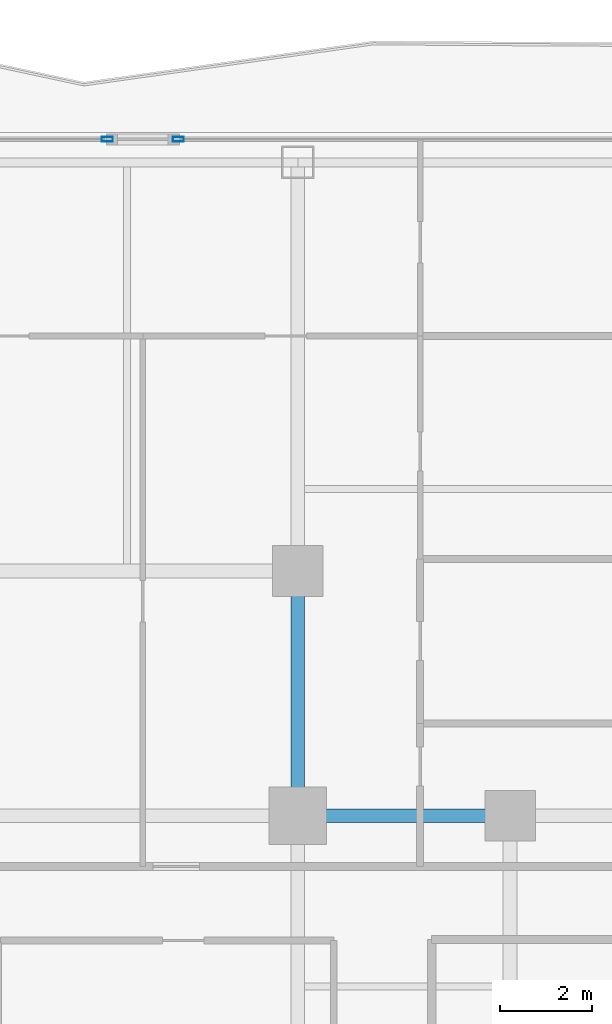
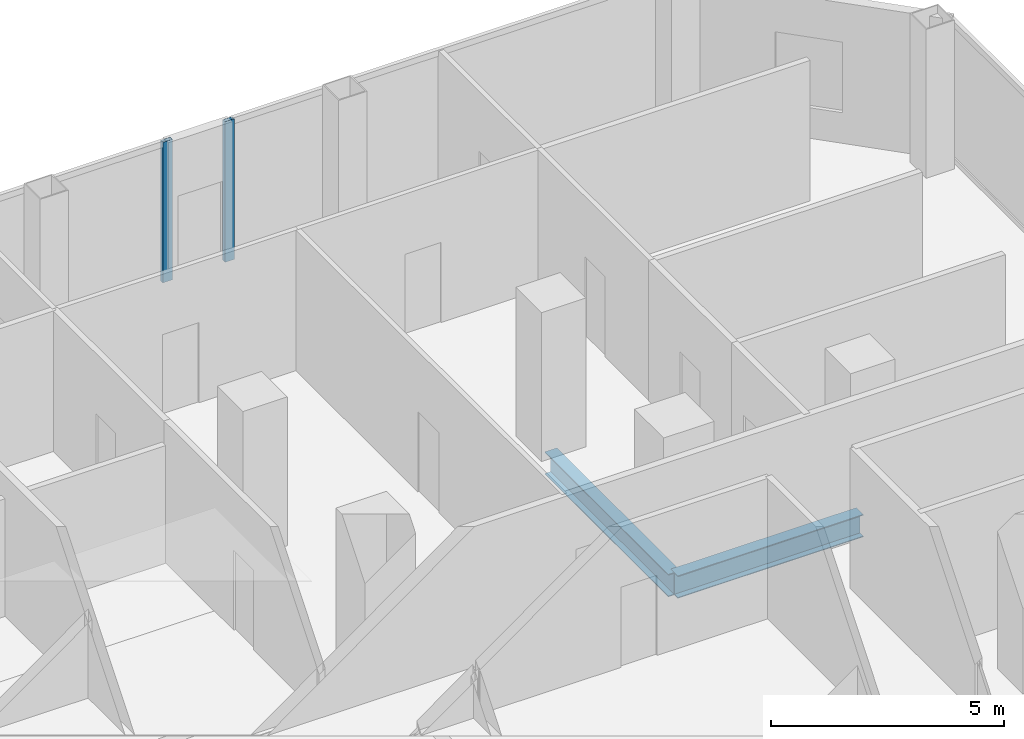
# One storey, part 16 of 27: 2 beams, 2 members, 2 elements without a shape of their own.
"""IFC4 building model written with IfcOpenShell, lengths in metres."""

import ifcopenshell
import ifcopenshell.guid

model = None  # the IFC model being written
_history = None  # IfcOwnerHistory: only IFC2X3 demands one
_inside = {}  # id of a spatial element -> (the spatial element, [elements in it])
_under = {}  # id of a project, library or spatial element -> (it, [spatial elements below it])
_declared = {}  # id of a project -> (the project, [libraries it declares])
_typed = {}  # id of a type object -> (the type object, [elements of that type])
_made_of = {}  # id of a material, layer set ... -> (it, [elements and type objects made of it])


def new_model(schema):
    """Start an empty IFC model of exactly this schema.

    Asked for "IFC4X3", IfcOpenShell would pick the latest addendum, in which some entities
    have other attributes; the version numbers below select the first issue.
    IFC2X3 requires an IfcOwnerHistory on every rooted entity: one is made here for all.
    """
    global model, _history
    if schema == "IFC4X3":
        model = ifcopenshell.file(schema_version=(4, 3, 0, 0))
    else:
        model = ifcopenshell.file(schema=schema)
    _inside.clear()
    _under.clear()
    _declared.clear()
    _typed.clear()
    _made_of.clear()
    _history = None
    if model.schema == "IFC2X3":
        org = make("IfcOrganization", Name="unknown")
        user = make(
            "IfcPersonAndOrganization",
            ThePerson=make("IfcPerson", FamilyName="unknown"),
            TheOrganization=org,
        )
        app = make(
            "IfcApplication",
            ApplicationDeveloper=org,
            Version="unknown",
            ApplicationFullName="unknown",
            ApplicationIdentifier="unknown",
        )
        _history = make(
            "IfcOwnerHistory",
            OwningUser=user,
            OwningApplication=app,
            ChangeAction="ADDED",
            CreationDate=0,
        )
    return model


def make(cls, **values):
    """One entity of the class cls with the attributes given. An attribute that is None is left unset."""
    return model.create_entity(
        cls, **{name: value for name, value in values.items() if value is not None}
    )


def rooted(cls, **values):
    """An entity with a GlobalId (a new one), such as an element, a storey or a relation."""
    return make(cls, GlobalId=ifcopenshell.guid.new(), OwnerHistory=_history, **values)


def si_unit(unit_type, name, prefix=None):
    """IfcSIUnit, for example si_unit("LENGTHUNIT", "METRE", prefix="MILLI")."""
    return make("IfcSIUnit", UnitType=unit_type, Prefix=prefix, Name=name)


def assignment(units):
    """IfcUnitAssignment: the units of a project."""
    return None if units is None else make("IfcUnitAssignment", Units=units)


def point(xyz):
    """IfcCartesianPoint."""
    return None if xyz is None else make("IfcCartesianPoint", Coordinates=xyz)


def direction(xyz):
    """IfcDirection."""
    return None if xyz is None else make("IfcDirection", DirectionRatios=xyz)


def frame(location, z_axis=None, x_axis=None):
    """IfcAxis2Placement3D, a coordinate frame: its origin and axes. An axis left out is left unset."""
    return make(
        "IfcAxis2Placement3D",
        Location=point(location),
        Axis=direction(z_axis),
        RefDirection=direction(x_axis),
    )


def frame_2d(location, x_axis=None):
    """IfcAxis2Placement2D, a coordinate frame in the plane: its origin and x axis."""
    return make(
        "IfcAxis2Placement2D", Location=point(location), RefDirection=direction(x_axis)
    )


def origin():
    """The frame at (0, 0, 0) with its axes left unset."""
    return frame((0.0, 0.0, 0.0))


def origin_2d():
    """The frame at (0, 0) in the plane with its x axis left unset."""
    return frame_2d((0.0, 0.0))


def place(relative_to, where):
    """IfcLocalPlacement: puts the frame where relative to a parent placement (None: the world)."""
    return make(
        "IfcLocalPlacement", PlacementRelTo=relative_to, RelativePlacement=where
    )


def context(
    kind, dimensions, precision=None, world=None, true_north=None, identifier=None
):
    """IfcGeometricRepresentationContext, for example the 3D "Model" context."""
    return make(
        "IfcGeometricRepresentationContext",
        ContextIdentifier=identifier,
        ContextType=kind,
        CoordinateSpaceDimension=dimensions,
        Precision=precision,
        WorldCoordinateSystem=world,
        TrueNorth=true_north,
    )


def subcontext(parent, identifier, kind, view, scale=None):
    """IfcGeometricRepresentationSubContext, for example "Body" below "Model"."""
    return make(
        "IfcGeometricRepresentationSubContext",
        ContextIdentifier=identifier,
        ContextType=kind,
        ParentContext=parent,
        TargetScale=scale,
        TargetView=view,
    )


def project(units=None, contexts=None):
    """IfcProject with its units and contexts."""
    return rooted(
        "IfcProject",
        Name="project",
        RepresentationContexts=contexts,
        UnitsInContext=assignment(units),
    )


def spatial(cls, under=None, at=None, **own):
    """A site, building, storey or space (cls), placed at a placement, below another one or the project."""
    s = rooted(cls, ObjectPlacement=at, **own)
    if under is not None:
        _under.setdefault(under.id(), (under, []))[1].append(s)
    return s


def profile(cls, at=None, kind="AREA", **sizes):
    """A parametric profile (cls). Its sizes go by their IFC names, for example OverallWidth=200.0."""
    return make(cls, ProfileType=kind, Position=at, **sizes)


def hollow_rectangle(**sizes):
    """IfcRectangleHollowProfileDef."""
    return profile("IfcRectangleHollowProfileDef", **sizes)


def i_section(**sizes):
    """IfcIShapeProfileDef."""
    return profile("IfcIShapeProfileDef", **sizes)


def extrude(swept, where, along, depth):
    """IfcExtrudedAreaSolid: the profile swept, set in the frame where, extruded along a direction by depth."""
    return make(
        "IfcExtrudedAreaSolid",
        SweptArea=swept,
        Position=where,
        ExtrudedDirection=direction(along),
        Depth=depth,
    )


def shape(context_of_items, identifier, shape_type, items):
    """IfcShapeRepresentation: the items that make up one representation, for example the "Body"."""
    return make(
        "IfcShapeRepresentation",
        ContextOfItems=context_of_items,
        RepresentationIdentifier=identifier,
        RepresentationType=shape_type,
        Items=items,
    )


def material(Name=None, Category=None):
    """IfcMaterial."""
    return make("IfcMaterial", Name=Name, Category=Category)


def layer(
    of_material, thickness, ventilated=None, Name=None, Category=None, Priority=None
):
    """IfcMaterialLayer: one layer of a wall or slab, of a material (None: an air gap)."""
    return make(
        "IfcMaterialLayer",
        Material=of_material,
        LayerThickness=thickness,
        IsVentilated=ventilated,
        Name=Name,
        Category=Category,
        Priority=Priority,
    )


def layer_set(layers, Name=None):
    """IfcMaterialLayerSet."""
    return make("IfcMaterialLayerSet", MaterialLayers=layers, LayerSetName=Name)


def material_profile(
    of_material, cross_section, Name=None, Category=None, Priority=None
):
    """IfcMaterialProfile: a cross section and its material."""
    return make(
        "IfcMaterialProfile",
        Name=Name,
        Material=of_material,
        Profile=cross_section,
        Priority=Priority,
        Category=Category,
    )


def profile_set(profiles, Name=None, composite=None):
    """IfcMaterialProfileSet."""
    return make(
        "IfcMaterialProfileSet",
        Name=Name,
        MaterialProfiles=profiles,
        CompositeProfile=composite,
    )


def made_of(thing, what):
    """Note that an element or type object is made of a material, layer set ...; save() writes the relation."""
    if what is not None:
        _made_of.setdefault(what.id(), (what, []))[1].append(thing)
    return thing


def type_object(cls, material=None, **own):
    """A type object (cls), such as IfcWallType, which elements share."""
    return made_of(rooted(cls, **own), material)


def element(
    cls,
    number,
    at=None,
    inside=None,
    cuts=None,
    type_object=None,
    material=None,
    context=None,
    identifier="Body",
    shape_type=None,
    held_by="IfcProductDefinitionShape",
    body=None,
    shapes=None,
    **own,
):
    """One element of the class cls, such as IfcWall. Its Tag is "e" and its number.

    at: its placement. inside: the storey or other place that contains it. cuts: it is an
    opening in that element (IfcRelVoidsElement). A single representation is given by context,
    identifier, shape_type and body (its items); several are given by shapes. held_by: the class
    of the entity that holds the representations. save() writes the other relations.
    """
    e = rooted(cls, Tag="e%d" % number, ObjectPlacement=at, **own)
    if body is not None:
        shapes = [shape(context, identifier, shape_type, body)]
    if shapes is not None:
        e.Representation = make(held_by, Representations=shapes)
    if inside is not None:
        _inside.setdefault(inside.id(), (inside, []))[1].append(e)
    if cuts is not None:
        rooted(
            "IfcRelVoidsElement", RelatingBuildingElement=cuts, RelatedOpeningElement=e
        )
    if type_object is not None:
        _typed.setdefault(type_object.id(), (type_object, []))[1].append(e)
    return made_of(e, material)


def aggregate(whole, parts):
    """IfcRelAggregates: a whole, such as a stair, and the parts it consists of."""
    return rooted("IfcRelAggregates", RelatingObject=whole, RelatedObjects=parts)


def save(model, path):
    """Write the relations noted so far, then the file.

    IfcRelAggregates (storeys below a building ...), IfcRelContainedInSpatialStructure (elements
    in a storey), IfcRelDefinesByType, IfcRelAssociatesMaterial and IfcRelDeclares: one each for
    every whole, place, type object, material and project.
    """
    for whole, parts in _under.values():
        aggregate(whole, parts)
    for where, things in _inside.values():
        rooted(
            "IfcRelContainedInSpatialStructure",
            RelatedElements=things,
            RelatingStructure=where,
        )
    for kind, things in _typed.values():
        rooted("IfcRelDefinesByType", RelatedObjects=things, RelatingType=kind)
    for what, things in _made_of.values():
        rooted("IfcRelAssociatesMaterial", RelatedObjects=things, RelatingMaterial=what)
    for by, libraries in _declared.values():
        rooted("IfcRelDeclares", RelatingContext=by, RelatedDefinitions=libraries)
    model.write(path)


model = new_model("IFC4")

# Units and contexts
model_context = context("Model", 3, precision=1e-05, world=origin(), true_north=direction((0.0, 1.0)))
body_context = subcontext(model_context, "Body", "Model", "MODEL_VIEW")
ifc_project = project(units=[si_unit("LENGTHUNIT", "METRE"), si_unit("AREAUNIT", "SQUARE_METRE"), si_unit("VOLUMEUNIT", "CUBIC_METRE"), si_unit("PLANEANGLEUNIT", "RADIAN"), si_unit("MASSUNIT", "GRAM", prefix="KILO")], contexts=[model_context])

# Site, building, storey
site_placement = place(None, origin())
site = spatial("IfcSite", under=ifc_project, at=site_placement, CompositionType="ELEMENT")
building_placement = place(site_placement, origin())
building = spatial("IfcBuilding", under=site, at=building_placement, Name="Khorvyn Point Tower", CompositionType="ELEMENT")
storey_placement = place(building_placement, frame((0.0, 0.0, 129.0)))
storey = spatial("IfcBuildingStorey", under=building, at=storey_placement, Name="L32", CompositionType="ELEMENT", Elevation=129.0)

# Curtain wall, member
ifc_material_1 = material(Name="Anodised aluminium 6063-T6 and laminated Low-E glass", Category="aluminium")
ifc_layer = layer(ifc_material_1, 0.18994140625)
ifc_layer_set = layer_set([ifc_layer], Name="Stick-Built Acoustic Curtain Wall CW-SYS-03")
curtain_wall_type = type_object("IfcCurtainWallType", Name="Stick-Built Acoustic Curtain Wall CW-SYS-03", PredefinedType="NOTDEFINED", material=ifc_layer_set)
curtain_wall_1_placement = place(storey_placement, origin())
curtain_wall_1 = element("IfcCurtainWall", 1, at=curtain_wall_1_placement, inside=storey, type_object=curtain_wall_type, Name="Curtain Wall", PredefinedType="NOTDEFINED")
ifc_material_2 = material(Name="Anodised aluminium 6063-T6", Category="aluminium")
ifc_material_profile_1 = material_profile(ifc_material_2, hollow_rectangle(XDim=0.10009765625, YDim=0.239990234375, WallThickness=0.0048828125, at=origin_2d()))
ifc_profile_set_1 = profile_set([ifc_material_profile_1], Name="Anodised aluminium 6063-T6 ALU-MUL-100x240")
member_type = type_object("IfcMemberType", Name="Anodised Aluminium 6063-T6 Mullion ALU-MUL-100x240", PredefinedType="MULLION", material=ifc_profile_set_1)
member_1_placement = place(storey_placement, frame((10.674072265625, 29.449951171875, 0.0), z_axis=(0.0, 0.0, 1.0), x_axis=(0.0, 1.0, 0.0)))
member_1 = element("IfcMember", 2, at=member_1_placement, type_object=member_type, Name="Transom", PredefinedType="MULLION", context=body_context, shape_type="SweptSolid", body=[
    extrude(hollow_rectangle(XDim=0.10009765625, YDim=0.239990234375, WallThickness=0.0048828125, at=origin_2d()), origin(), (0.0, 0.0, 1.0), 3.679931640625),
])
aggregate(curtain_wall_1, [member_1])

curtain_wall_2_placement = place(storey_placement, origin())
curtain_wall_2 = element("IfcCurtainWall", 3, at=curtain_wall_2_placement, inside=storey, type_object=curtain_wall_type, Name="Curtain Wall", PredefinedType="NOTDEFINED")
member_2_placement = place(storey_placement, frame((12.214111328125, 29.449951171875, 0.0), z_axis=(0.0, 0.0, 1.0), x_axis=(0.0, 1.0, 0.0)))
member_2 = element("IfcMember", 4, at=member_2_placement, type_object=member_type, Name="Transom", PredefinedType="MULLION", context=body_context, shape_type="SweptSolid", body=[
    extrude(hollow_rectangle(XDim=0.10009765625, YDim=0.239990234375, WallThickness=0.0048828125, at=origin_2d()), origin(), (0.0, 0.0, 1.0), 3.679931640625),
])
aggregate(curtain_wall_2, [member_2])

# Beams
ifc_material_3 = material(Name="Steel S355", Category="steel")
ifc_material_profile_2 = material_profile(ifc_material_3, i_section(OverallWidth=0.300048828125, OverallDepth=0.587890625, WebThickness=0.011962890625, FlangeThickness=0.02001953125, at=origin_2d()))
ifc_profile_set_2 = profile_set([ifc_material_profile_2], Name="Steel S355 H588x300x12x20")
beam_type = type_object("IfcBeamType", Name="Steel S355 Beam H588x300x12x20", PredefinedType="BEAM", material=ifc_profile_set_2)
beam_1_placement = place(storey_placement, frame((14.800048828125, 14.800048828125, -0.513916015625), z_axis=(1.0, 0.0, 0.0), x_axis=(0.0, 1.0, 0.0)))
element("IfcBeam", 5, at=beam_1_placement, inside=storey, type_object=beam_type, Name="Beam", PredefinedType="BEAM", context=body_context, shape_type="SweptSolid", body=[
    extrude(i_section(OverallWidth=0.300048828125, OverallDepth=0.587890625, WebThickness=0.011962890625, FlangeThickness=0.02001953125, at=origin_2d()), origin(), (0.0, 0.0, 1.0), 4.599853515625),
])
beam_2_placement = place(storey_placement, frame((14.800048828125, 14.800048828125, -0.513916015625), z_axis=(0.0, 1.0, 0.0), x_axis=(-1.0, 0.0, 0.0)))
element("IfcBeam", 6, at=beam_2_placement, inside=storey, type_object=beam_type, Name="Beam", PredefinedType="BEAM", context=body_context, shape_type="SweptSolid", body=[
    extrude(i_section(OverallWidth=0.300048828125, OverallDepth=0.587890625, WebThickness=0.011962890625, FlangeThickness=0.02001953125, at=origin_2d()), origin(), (0.0, 0.0, 1.0), 5.300048828125),
])

save(model, "model.ifc")
